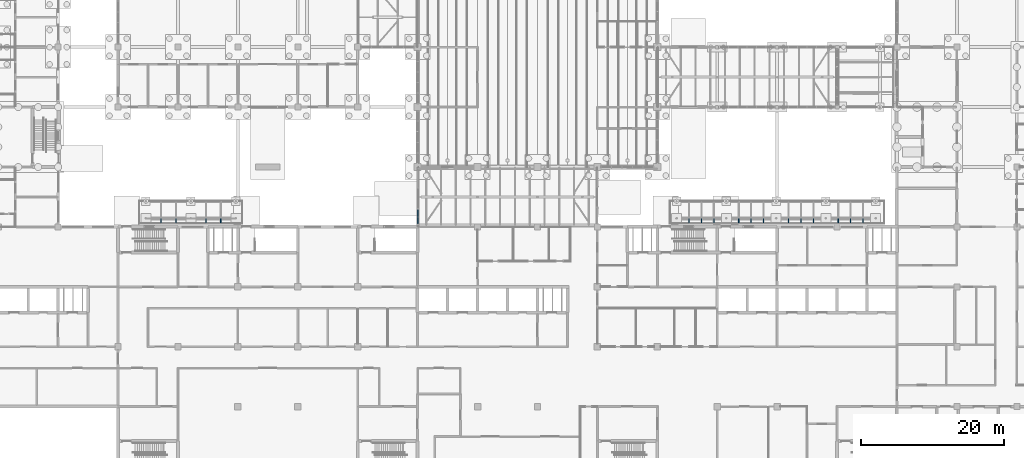
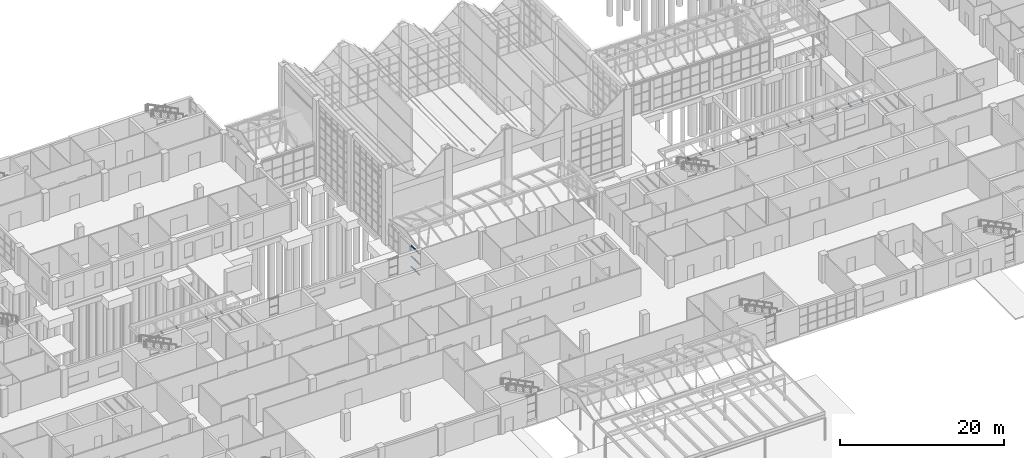
# One storey, part 76 of 138: 16 beams, 6 members, 1 element without a shape of its own.
"""IFC4 building model written with IfcOpenShell, lengths in metres."""

from ifc_helpers import new_model, si_unit, direction, frame, origin, origin_2d, place, context, subcontext, project, spatial, rectangle, i_section, extrude, material, material_profile, profile_set, type_object, element, aggregate, save


model = new_model("IFC4")

# Units and contexts
model_context = context("Model", 3, precision=1e-05, world=origin(), true_north=direction((0.0, 1.0)))
body_context = subcontext(model_context, "Body", "Model", "MODEL_VIEW")
ifc_project = project(units=[si_unit("LENGTHUNIT", "METRE"), si_unit("AREAUNIT", "SQUARE_METRE"), si_unit("VOLUMEUNIT", "CUBIC_METRE"), si_unit("PLANEANGLEUNIT", "RADIAN"), si_unit("MASSUNIT", "GRAM", prefix="KILO")], contexts=[model_context])

# Site, building, storey
site_placement = place(None, origin())
site = spatial("IfcSite", under=ifc_project, at=site_placement, CompositionType="ELEMENT")
building_placement = place(site_placement, origin())
building = spatial("IfcBuilding", under=site, at=building_placement, Name="Yavir Park General Hospital", CompositionType="ELEMENT")
storey_placement = place(building_placement, origin())
storey = spatial("IfcBuildingStorey", under=building, at=storey_placement, Name="L00", CompositionType="ELEMENT", Elevation=0.0)

# Curtain wall, members
ifc_material_1 = material(Name="Aluminium curtain wall frame with insulated glazing", Category="aluminium")
curtain_wall_type = type_object("IfcCurtainWallType", Name="Glazed foyer walls, 3164 high, 1400 module", PredefinedType="NOTDEFINED", material=ifc_material_1)
curtain_wall_placement = place(storey_placement, origin())
curtain_wall = element("IfcCurtainWall", 1, at=curtain_wall_placement, inside=storey, type_object=curtain_wall_type, Name="CW36 L00-048", PredefinedType="NOTDEFINED")
ifc_material_2 = material(Name="Aluminium", Category="aluminium")
ifc_material_profile_1 = material_profile(ifc_material_2, rectangle(XDim=0.139892578125, YDim=0.06005859375, at=origin_2d()), Name="AL 140x60")
ifc_profile_set_1 = profile_set([ifc_material_profile_1], Name="Aluminium")
member_type = type_object("IfcMemberType", Name="Glazed foyer walls, 3164 high transom 60 x 140", PredefinedType="MULLION", material=ifc_profile_set_1)
member_1_placement = place(storey_placement, frame((75.60009765625, 34.010009765625, 0.030029296875), z_axis=(0.0, 1.0, 0.0), x_axis=(-1.0, 0.0, 0.0)))
member_1 = element("IfcMember", 2, at=member_1_placement, type_object=member_type, Name="CW36 transom 1.1", PredefinedType="MULLION", context=body_context, shape_type="SweptSolid", body=[
    extrude(rectangle(XDim=0.139892578125, YDim=0.06005859375, at=origin_2d()), origin(), (0.0, 0.0, 1.0), 0.978759765625),
])
member_2_placement = place(storey_placement, frame((75.60009765625, 34.010009765625, 1.58203125), z_axis=(0.0, 1.0, 0.0), x_axis=(-1.0, 0.0, 0.0)))
member_2 = element("IfcMember", 3, at=member_2_placement, type_object=member_type, Name="CW36 transom 1.2", PredefinedType="MULLION", context=body_context, shape_type="SweptSolid", body=[
    extrude(rectangle(XDim=0.139892578125, YDim=0.06005859375, at=origin_2d()), origin(), (0.0, 0.0, 1.0), 0.978759765625),
])
member_3_placement = place(storey_placement, frame((75.60009765625, 34.010009765625, 3.134033203125), z_axis=(0.0, 1.0, 0.0), x_axis=(-1.0, 0.0, 0.0)))
member_3 = element("IfcMember", 4, at=member_3_placement, type_object=member_type, Name="CW36 transom 1.3", PredefinedType="MULLION", context=body_context, shape_type="SweptSolid", body=[
    extrude(rectangle(XDim=0.139892578125, YDim=0.06005859375, at=origin_2d()), origin(), (0.0, 0.0, 1.0), 0.978759765625),
])
member_4_placement = place(storey_placement, frame((75.60009765625, 35.048828125, 0.030029296875), z_axis=(0.0, 1.0, 0.0), x_axis=(-1.0, 0.0, 0.0)))
member_4 = element("IfcMember", 5, at=member_4_placement, type_object=member_type, Name="CW36 transom 2.1", PredefinedType="MULLION", context=body_context, shape_type="SweptSolid", body=[
    extrude(rectangle(XDim=0.139892578125, YDim=0.06005859375, at=origin_2d()), origin(), (0.0, 0.0, 1.0), 0.978759765625),
])
member_5_placement = place(storey_placement, frame((75.60009765625, 35.048828125, 1.58203125), z_axis=(0.0, 1.0, 0.0), x_axis=(-1.0, 0.0, 0.0)))
member_5 = element("IfcMember", 6, at=member_5_placement, type_object=member_type, Name="CW36 transom 2.2", PredefinedType="MULLION", context=body_context, shape_type="SweptSolid", body=[
    extrude(rectangle(XDim=0.139892578125, YDim=0.06005859375, at=origin_2d()), origin(), (0.0, 0.0, 1.0), 0.978759765625),
])
member_6_placement = place(storey_placement, frame((75.60009765625, 35.048828125, 3.134033203125), z_axis=(0.0, 1.0, 0.0), x_axis=(-1.0, 0.0, 0.0)))
member_6 = element("IfcMember", 7, at=member_6_placement, type_object=member_type, Name="CW36 transom 2.3", PredefinedType="MULLION", context=body_context, shape_type="SweptSolid", body=[
    extrude(rectangle(XDim=0.139892578125, YDim=0.06005859375, at=origin_2d()), origin(), (0.0, 0.0, 1.0), 0.978759765625),
])
aggregate(curtain_wall, [member_1, member_2, member_3, member_4, member_5, member_6])

# Beams
ifc_material_3 = material(Name="Steel S355", Category="steel")
ifc_material_profile_2 = material_profile(ifc_material_3, i_section(OverallWidth=0.08203125, OverallDepth=0.159912109375, WebThickness=0.0048828125, FlangeThickness=0.00732421875, FilletRadius=0.009033203125, at=origin_2d()), Name="IPE160")
ifc_profile_set_2 = profile_set([ifc_material_profile_2], Name="Steel S355")
beam_type = type_object("IfcBeamType", Name="IPE 160 cantilever secondary beam, up to 1 m", PredefinedType="JOIST", material=ifc_profile_set_2)
for number, where, z_axis, x_axis, name in (
    (8, (39.60009765625, 34.181884765625, 3.77001953125), (0.0, 1.0, 0.0), (-1.0, 0.0, 0.0), "B:ARC1:J1-0"),
    (9, (41.699951171875, 34.181884765625, 3.77001953125), (0.0, 1.0, 0.0), (-1.0, 0.0, 0.0), "B:ARC1:J2-0"),
    (10, (45.89990234375, 34.181884765625, 3.77001953125), (0.0, 1.0, 0.0), (-1.0, 0.0, 0.0), "B:ARC1:J4-0"),
    (11, (48.0, 34.181884765625, 3.77001953125), (0.0, 1.0, 0.0), (-1.0, 0.0, 0.0), "B:ARC1:J5-0"),
    (12, (113.643798828125, 34.181884765625, 3.77001953125), (0.0, 1.0, 0.0), (-1.0, 0.0, 0.0), "B:ARC2:J1-0"),
    (13, (115.387451171875, 34.181884765625, 3.77001953125), (0.0, 1.0, 0.0), (-1.0, 0.0, 0.0), "B:ARC2:J2-0"),
    (14, (117.131103515625, 34.181884765625, 3.77001953125), (0.0, 1.0, 0.0), (-1.0, 0.0, 0.0), "B:ARC2:J3-0"),
    (15, (120.618896484375, 34.181884765625, 3.77001953125), (0.0, 1.0, 0.0), (-1.0, 0.0, 0.0), "B:ARC2:J5-0"),
    (16, (122.362548828125, 34.181884765625, 3.77001953125), (0.0, 1.0, 0.0), (-1.0, 0.0, 0.0), "B:ARC2:J6-0"),
    (17, (124.106201171875, 34.181884765625, 3.77001953125), (0.0, 1.0, 0.0), (-1.0, 0.0, 0.0), "B:ARC2:J7-0"),
    (18, (127.59375, 34.181884765625, 3.77001953125), (0.0, 1.0, 0.0), (-1.0, 0.0, 0.0), "B:ARC2:J9-0"),
    (19, (129.33740234375, 34.181884765625, 3.77001953125), (0.0, 1.0, 0.0), (-1.0, 0.0, 0.0), "B:ARC2:J10-0"),
    (20, (131.081298828125, 34.181884765625, 3.77001953125), (0.0, 1.0, 0.0), (-1.0, 0.0, 0.0), "B:ARC2:J11-0"),
    (21, (134.568603515625, 34.181884765625, 3.77001953125), (0.0, 1.0, 0.0), (-1.0, 0.0, 0.0), "B:ARC2:J13-0"),
    (22, (136.3125, 34.181884765625, 3.77001953125), (0.0, 1.0, 0.0), (-1.0, 0.0, 0.0), "B:ARC2:J14-0"),
    (23, (138.056396484375, 34.181884765625, 3.77001953125), (0.0, 1.0, 0.0), (-1.0, 0.0, 0.0), "B:ARC2:J15-0"),
):
    element("IfcBeam", number, at=place(storey_placement, frame(where, z_axis=z_axis, x_axis=x_axis)), inside=storey, type_object=beam_type, Name=name, PredefinedType="JOIST", context=body_context, shape_type="SweptSolid", body=[
        extrude(i_section(OverallWidth=0.08203125, OverallDepth=0.159912109375, WebThickness=0.0048828125, FlangeThickness=0.00732421875, FilletRadius=0.009033203125, at=origin_2d()), origin(), (0.0, 0.0, 1.0), 0.5380859375),
    ])

save(model, "model.ifc")
